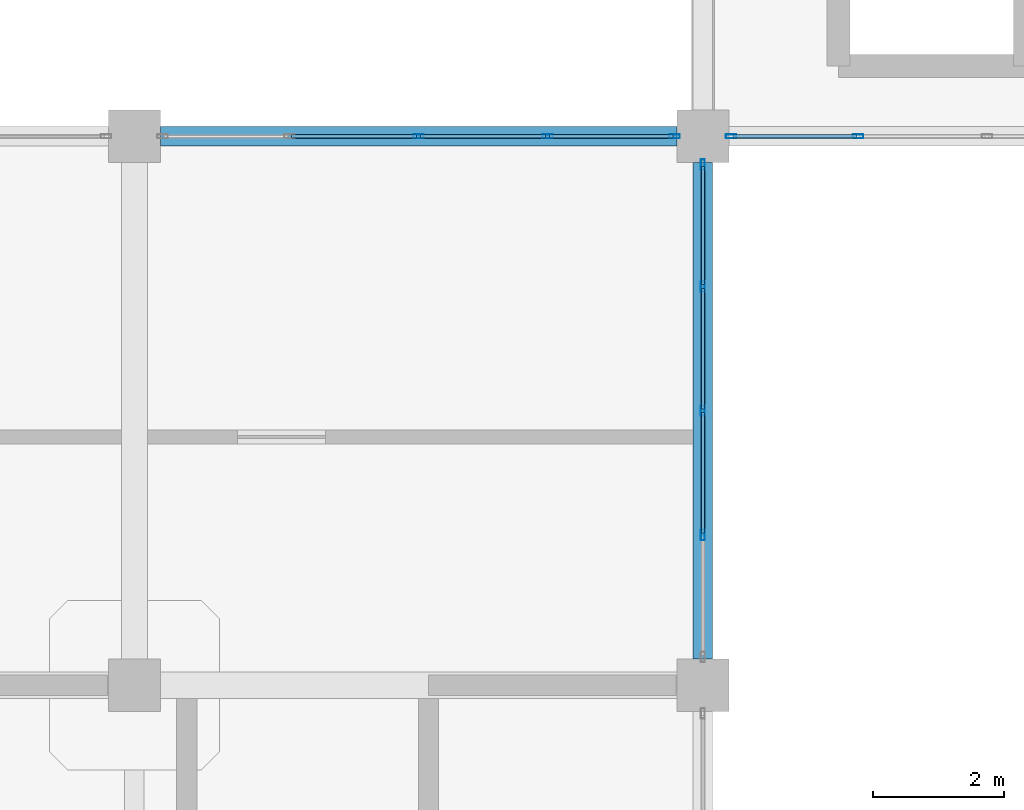
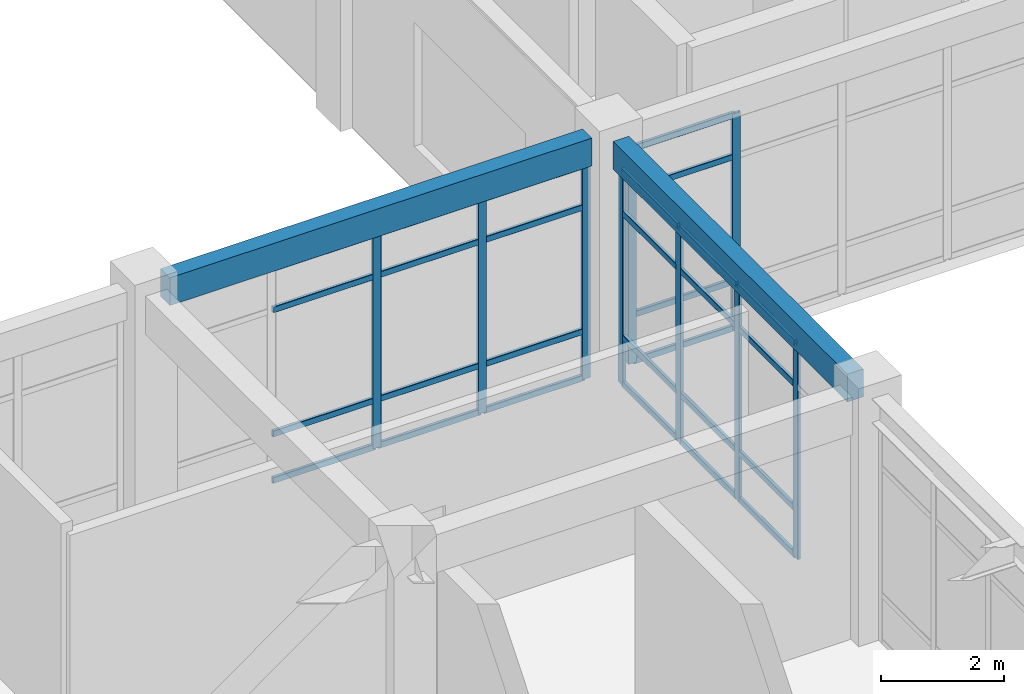
# One storey, part 51 of 96: 37 members, 2 beams, 3 elements without a shape of their own.
"""IFC4 building model written with IfcOpenShell, lengths in metres."""

import ifcopenshell
import ifcopenshell.guid

model = None  # the IFC model being written
_history = None  # IfcOwnerHistory: only IFC2X3 demands one
_inside = {}  # id of a spatial element -> (the spatial element, [elements in it])
_under = {}  # id of a project, library or spatial element -> (it, [spatial elements below it])
_declared = {}  # id of a project -> (the project, [libraries it declares])
_typed = {}  # id of a type object -> (the type object, [elements of that type])
_made_of = {}  # id of a material, layer set ... -> (it, [elements and type objects made of it])


def new_model(schema):
    """Start an empty IFC model of exactly this schema.

    Asked for "IFC4X3", IfcOpenShell would pick the latest addendum, in which some entities
    have other attributes; the version numbers below select the first issue.
    IFC2X3 requires an IfcOwnerHistory on every rooted entity: one is made here for all.
    """
    global model, _history
    if schema == "IFC4X3":
        model = ifcopenshell.file(schema_version=(4, 3, 0, 0))
    else:
        model = ifcopenshell.file(schema=schema)
    _inside.clear()
    _under.clear()
    _declared.clear()
    _typed.clear()
    _made_of.clear()
    _history = None
    if model.schema == "IFC2X3":
        org = make("IfcOrganization", Name="unknown")
        user = make(
            "IfcPersonAndOrganization",
            ThePerson=make("IfcPerson", FamilyName="unknown"),
            TheOrganization=org,
        )
        app = make(
            "IfcApplication",
            ApplicationDeveloper=org,
            Version="unknown",
            ApplicationFullName="unknown",
            ApplicationIdentifier="unknown",
        )
        _history = make(
            "IfcOwnerHistory",
            OwningUser=user,
            OwningApplication=app,
            ChangeAction="ADDED",
            CreationDate=0,
        )
    return model


def make(cls, **values):
    """One entity of the class cls with the attributes given. An attribute that is None is left unset."""
    return model.create_entity(
        cls, **{name: value for name, value in values.items() if value is not None}
    )


def rooted(cls, **values):
    """An entity with a GlobalId (a new one), such as an element, a storey or a relation."""
    return make(cls, GlobalId=ifcopenshell.guid.new(), OwnerHistory=_history, **values)


def si_unit(unit_type, name, prefix=None):
    """IfcSIUnit, for example si_unit("LENGTHUNIT", "METRE", prefix="MILLI")."""
    return make("IfcSIUnit", UnitType=unit_type, Prefix=prefix, Name=name)


def derived_unit(unit_type, elements):
    """IfcDerivedUnit: a product of units, each with its exponent."""
    return make(
        "IfcDerivedUnit",
        Elements=[
            make("IfcDerivedUnitElement", Unit=unit, Exponent=power)
            for unit, power in elements
        ],
        UnitType=unit_type,
    )


def assignment(units):
    """IfcUnitAssignment: the units of a project."""
    return None if units is None else make("IfcUnitAssignment", Units=units)


def point(xyz):
    """IfcCartesianPoint."""
    return None if xyz is None else make("IfcCartesianPoint", Coordinates=xyz)


def direction(xyz):
    """IfcDirection."""
    return None if xyz is None else make("IfcDirection", DirectionRatios=xyz)


def frame(location, z_axis=None, x_axis=None):
    """IfcAxis2Placement3D, a coordinate frame: its origin and axes. An axis left out is left unset."""
    return make(
        "IfcAxis2Placement3D",
        Location=point(location),
        Axis=direction(z_axis),
        RefDirection=direction(x_axis),
    )


def frame_2d(location, x_axis=None):
    """IfcAxis2Placement2D, a coordinate frame in the plane: its origin and x axis."""
    return make(
        "IfcAxis2Placement2D", Location=point(location), RefDirection=direction(x_axis)
    )


def origin():
    """The frame at (0, 0, 0) with its axes left unset."""
    return frame((0.0, 0.0, 0.0))


def origin_2d():
    """The frame at (0, 0) in the plane with its x axis left unset."""
    return frame_2d((0.0, 0.0))


def place(relative_to, where):
    """IfcLocalPlacement: puts the frame where relative to a parent placement (None: the world)."""
    return make(
        "IfcLocalPlacement", PlacementRelTo=relative_to, RelativePlacement=where
    )


def context(
    kind, dimensions, precision=None, world=None, true_north=None, identifier=None
):
    """IfcGeometricRepresentationContext, for example the 3D "Model" context."""
    return make(
        "IfcGeometricRepresentationContext",
        ContextIdentifier=identifier,
        ContextType=kind,
        CoordinateSpaceDimension=dimensions,
        Precision=precision,
        WorldCoordinateSystem=world,
        TrueNorth=true_north,
    )


def subcontext(parent, identifier, kind, view, scale=None):
    """IfcGeometricRepresentationSubContext, for example "Body" below "Model"."""
    return make(
        "IfcGeometricRepresentationSubContext",
        ContextIdentifier=identifier,
        ContextType=kind,
        ParentContext=parent,
        TargetScale=scale,
        TargetView=view,
    )


def project(units=None, contexts=None):
    """IfcProject with its units and contexts."""
    return rooted(
        "IfcProject",
        Name="project",
        RepresentationContexts=contexts,
        UnitsInContext=assignment(units),
    )


def spatial(cls, under=None, at=None, **own):
    """A site, building, storey or space (cls), placed at a placement, below another one or the project."""
    s = rooted(cls, ObjectPlacement=at, **own)
    if under is not None:
        _under.setdefault(under.id(), (under, []))[1].append(s)
    return s


def profile(cls, at=None, kind="AREA", **sizes):
    """A parametric profile (cls). Its sizes go by their IFC names, for example OverallWidth=200.0."""
    return make(cls, ProfileType=kind, Position=at, **sizes)


def rectangle(**sizes):
    """IfcRectangleProfileDef."""
    return profile("IfcRectangleProfileDef", **sizes)


def hollow_rectangle(**sizes):
    """IfcRectangleHollowProfileDef."""
    return profile("IfcRectangleHollowProfileDef", **sizes)


def extrude(swept, where, along, depth):
    """IfcExtrudedAreaSolid: the profile swept, set in the frame where, extruded along a direction by depth."""
    return make(
        "IfcExtrudedAreaSolid",
        SweptArea=swept,
        Position=where,
        ExtrudedDirection=direction(along),
        Depth=depth,
    )


def shape(context_of_items, identifier, shape_type, items):
    """IfcShapeRepresentation: the items that make up one representation, for example the "Body"."""
    return make(
        "IfcShapeRepresentation",
        ContextOfItems=context_of_items,
        RepresentationIdentifier=identifier,
        RepresentationType=shape_type,
        Items=items,
    )


def material(Name=None, Category=None):
    """IfcMaterial."""
    return make("IfcMaterial", Name=Name, Category=Category)


def layer(
    of_material, thickness, ventilated=None, Name=None, Category=None, Priority=None
):
    """IfcMaterialLayer: one layer of a wall or slab, of a material (None: an air gap)."""
    return make(
        "IfcMaterialLayer",
        Material=of_material,
        LayerThickness=thickness,
        IsVentilated=ventilated,
        Name=Name,
        Category=Category,
        Priority=Priority,
    )


def layer_set(layers, Name=None):
    """IfcMaterialLayerSet."""
    return make("IfcMaterialLayerSet", MaterialLayers=layers, LayerSetName=Name)


def material_profile(
    of_material, cross_section, Name=None, Category=None, Priority=None
):
    """IfcMaterialProfile: a cross section and its material."""
    return make(
        "IfcMaterialProfile",
        Name=Name,
        Material=of_material,
        Profile=cross_section,
        Priority=Priority,
        Category=Category,
    )


def profile_set(profiles, Name=None, composite=None):
    """IfcMaterialProfileSet."""
    return make(
        "IfcMaterialProfileSet",
        Name=Name,
        MaterialProfiles=profiles,
        CompositeProfile=composite,
    )


def made_of(thing, what):
    """Note that an element or type object is made of a material, layer set ...; save() writes the relation."""
    if what is not None:
        _made_of.setdefault(what.id(), (what, []))[1].append(thing)
    return thing


def type_object(cls, material=None, **own):
    """A type object (cls), such as IfcWallType, which elements share."""
    return made_of(rooted(cls, **own), material)


def element(
    cls,
    number,
    at=None,
    inside=None,
    cuts=None,
    type_object=None,
    material=None,
    context=None,
    identifier="Body",
    shape_type=None,
    held_by="IfcProductDefinitionShape",
    body=None,
    shapes=None,
    **own,
):
    """One element of the class cls, such as IfcWall. Its Tag is "e" and its number.

    at: its placement. inside: the storey or other place that contains it. cuts: it is an
    opening in that element (IfcRelVoidsElement). A single representation is given by context,
    identifier, shape_type and body (its items); several are given by shapes. held_by: the class
    of the entity that holds the representations. save() writes the other relations.
    """
    e = rooted(cls, Tag="e%d" % number, ObjectPlacement=at, **own)
    if body is not None:
        shapes = [shape(context, identifier, shape_type, body)]
    if shapes is not None:
        e.Representation = make(held_by, Representations=shapes)
    if inside is not None:
        _inside.setdefault(inside.id(), (inside, []))[1].append(e)
    if cuts is not None:
        rooted(
            "IfcRelVoidsElement", RelatingBuildingElement=cuts, RelatedOpeningElement=e
        )
    if type_object is not None:
        _typed.setdefault(type_object.id(), (type_object, []))[1].append(e)
    return made_of(e, material)


def aggregate(whole, parts):
    """IfcRelAggregates: a whole, such as a stair, and the parts it consists of."""
    return rooted("IfcRelAggregates", RelatingObject=whole, RelatedObjects=parts)


def save(model, path):
    """Write the relations noted so far, then the file.

    IfcRelAggregates (storeys below a building ...), IfcRelContainedInSpatialStructure (elements
    in a storey), IfcRelDefinesByType, IfcRelAssociatesMaterial and IfcRelDeclares: one each for
    every whole, place, type object, material and project.
    """
    for whole, parts in _under.values():
        aggregate(whole, parts)
    for where, things in _inside.values():
        rooted(
            "IfcRelContainedInSpatialStructure",
            RelatedElements=things,
            RelatingStructure=where,
        )
    for kind, things in _typed.values():
        rooted("IfcRelDefinesByType", RelatedObjects=things, RelatingType=kind)
    for what, things in _made_of.values():
        rooted("IfcRelAssociatesMaterial", RelatedObjects=things, RelatingMaterial=what)
    for by, libraries in _declared.values():
        rooted("IfcRelDeclares", RelatingContext=by, RelatedDefinitions=libraries)
    model.write(path)


model = new_model("IFC4")

# Units and contexts
model_context = context("Model", 3, precision=1e-05, world=origin(), true_north=direction((0.0, 1.0)))
body_context = subcontext(model_context, "Body", "Model", "MODEL_VIEW")
ifc_project = project(units=[si_unit("LENGTHUNIT", "METRE"), si_unit("AREAUNIT", "SQUARE_METRE"), si_unit("VOLUMEUNIT", "CUBIC_METRE"), si_unit("PLANEANGLEUNIT", "RADIAN"), si_unit("MASSUNIT", "GRAM", prefix="KILO"), derived_unit("THERMALTRANSMITTANCEUNIT", [(si_unit("MASSUNIT", "GRAM", prefix="KILO"), 1), (si_unit("TIMEUNIT", "SECOND"), -3), (si_unit("THERMODYNAMICTEMPERATUREUNIT", "KELVIN"), -1)])], contexts=[model_context])

# Site, building, storey
site_placement = place(None, origin())
site = spatial("IfcSite", under=ifc_project, at=site_placement, CompositionType="ELEMENT")
building_placement = place(site_placement, origin())
building = spatial("IfcBuilding", under=site, at=building_placement, Name="Qinzheling Arcade Emporium", CompositionType="ELEMENT")
storey_placement = place(building_placement, frame((0.0, 0.0, 21.60009765625)))
storey = spatial("IfcBuildingStorey", under=building, at=storey_placement, Name="L05", CompositionType="ELEMENT", Elevation=21.60009765625)

# Curtain wall, members
ifc_material_1 = material(Name="Anodised aluminium and solar-control double glazing", Category="aluminium")
ifc_layer_1 = layer(ifc_material_1, 0.159912109375, Name="Anodised aluminium and solar-control double glazing", Category="aluminium")
ifc_layer_set_1 = layer_set([ifc_layer_1], Name="Anodised aluminium and solar-control double glazing")
curtain_wall_type_1 = type_object("IfcCurtainWallType", Name="Atrium Clerestory Curtain Wall", PredefinedType="NOTDEFINED", material=ifc_layer_set_1)
curtain_wall_1_placement = place(storey_placement, origin())
curtain_wall_1 = element("IfcCurtainWall", 1, at=curtain_wall_1_placement, inside=storey, type_object=curtain_wall_type_1, Name="Curtain Wall CW-L05-325", PredefinedType="NOTDEFINED")
ifc_material_2 = material(Name="Anodised aluminium 6063-T6", Category="aluminium")
ifc_material_profile_1 = material_profile(ifc_material_2, hollow_rectangle(XDim=0.06005859375, YDim=0.159912109375, WallThickness=0.00390625, InnerFilletRadius=0.00390625, OuterFilletRadius=0.008056640625, at=origin_2d()), Name="RHS 160x60x4", Category="aluminium")
ifc_profile_set_1 = profile_set([ifc_material_profile_1], Name="Anodised aluminium 6063-T6")
member_type_1 = type_object("IfcMemberType", Name="Curtain Wall Mullion RHS160x60", PredefinedType="MULLION", material=ifc_profile_set_1)
member_1_placement = place(storey_placement, frame((100.050048828125, 73.800048828125, 0.0), z_axis=(0.0, 0.0, 1.0), x_axis=(0.0, 1.0, 0.0)))
member_1 = element("IfcMember", 2, at=member_1_placement, type_object=member_type_1, Name="CW03 mullion 3", PredefinedType="MULLION", context=body_context, shape_type="SweptSolid", body=[
    extrude(hollow_rectangle(XDim=0.06005859375, YDim=0.159912109375, WallThickness=0.00390625, InnerFilletRadius=0.00390625, OuterFilletRadius=0.008056640625, at=origin_2d()), origin(), (0.0, 0.0, 1.0), 4.2548828125),
])
member_2_placement = place(storey_placement, frame((102.02392578125, 73.800048828125, 0.0), z_axis=(0.0, 0.0, 1.0), x_axis=(0.0, 1.0, 0.0)))
member_2 = element("IfcMember", 3, at=member_2_placement, type_object=member_type_1, Name="CW03 mullion 4", PredefinedType="MULLION", context=body_context, shape_type="SweptSolid", body=[
    extrude(hollow_rectangle(XDim=0.06005859375, YDim=0.159912109375, WallThickness=0.00390625, InnerFilletRadius=0.00390625, OuterFilletRadius=0.008056640625, at=origin_2d()), origin(), (0.0, 0.0, 1.0), 4.2548828125),
])
member_3_placement = place(storey_placement, frame((103.968017578125, 73.800048828125, 0.0), z_axis=(0.0, 0.0, 1.0), x_axis=(0.0, 1.0, 0.0)))
member_3 = element("IfcMember", 4, at=member_3_placement, type_object=member_type_1, Name="CW03 mullion 5", PredefinedType="MULLION", context=body_context, shape_type="SweptSolid", body=[
    extrude(hollow_rectangle(XDim=0.06005859375, YDim=0.159912109375, WallThickness=0.00390625, InnerFilletRadius=0.00390625, OuterFilletRadius=0.008056640625, at=origin_2d()), origin(), (0.0, 0.0, 1.0), 4.2548828125),
])

curtain_wall_2_placement = place(storey_placement, origin())
curtain_wall_2 = element("IfcCurtainWall", 5, at=curtain_wall_2_placement, inside=storey, type_object=curtain_wall_type_1, Name="Curtain Wall CW-L05-326", PredefinedType="NOTDEFINED")
member_4_placement = place(storey_placement, frame((104.39990234375, 73.367919921875, 0.0), z_axis=(0.0, 0.0, 1.0), x_axis=(1.0, 0.0, 0.0)))
member_4 = element("IfcMember", 6, at=member_4_placement, type_object=member_type_1, Name="CW03 mullion 1", PredefinedType="MULLION", context=body_context, shape_type="SweptSolid", body=[
    extrude(hollow_rectangle(XDim=0.06005859375, YDim=0.159912109375, WallThickness=0.00390625, InnerFilletRadius=0.00390625, OuterFilletRadius=0.008056640625, at=origin_2d()), origin(), (0.0, 0.0, 1.0), 4.2548828125),
])
member_5_placement = place(storey_placement, frame((104.39990234375, 71.4990234375, 0.0), z_axis=(0.0, 0.0, 1.0), x_axis=(1.0, 0.0, 0.0)))
member_5 = element("IfcMember", 7, at=member_5_placement, type_object=member_type_1, Name="CW03 mullion 2", PredefinedType="MULLION", context=body_context, shape_type="SweptSolid", body=[
    extrude(hollow_rectangle(XDim=0.06005859375, YDim=0.159912109375, WallThickness=0.00390625, InnerFilletRadius=0.00390625, OuterFilletRadius=0.008056640625, at=origin_2d()), origin(), (0.0, 0.0, 1.0), 4.2548828125),
])
member_6_placement = place(storey_placement, frame((104.39990234375, 69.60009765625, 0.0), z_axis=(0.0, 0.0, 1.0), x_axis=(1.0, 0.0, 0.0)))
member_6 = element("IfcMember", 8, at=member_6_placement, type_object=member_type_1, Name="CW03 mullion 3", PredefinedType="MULLION", context=body_context, shape_type="SweptSolid", body=[
    extrude(hollow_rectangle(XDim=0.06005859375, YDim=0.159912109375, WallThickness=0.00390625, InnerFilletRadius=0.00390625, OuterFilletRadius=0.008056640625, at=origin_2d()), origin(), (0.0, 0.0, 1.0), 4.2548828125),
])
member_7_placement = place(storey_placement, frame((104.39990234375, 67.700927734375, 0.0), z_axis=(0.0, 0.0, 1.0), x_axis=(1.0, 0.0, 0.0)))
member_7 = element("IfcMember", 9, at=member_7_placement, type_object=member_type_1, Name="CW03 mullion 4", PredefinedType="MULLION", context=body_context, shape_type="SweptSolid", body=[
    extrude(hollow_rectangle(XDim=0.06005859375, YDim=0.159912109375, WallThickness=0.00390625, InnerFilletRadius=0.00390625, OuterFilletRadius=0.008056640625, at=origin_2d()), origin(), (0.0, 0.0, 1.0), 4.2548828125),
])

ifc_layer_2 = layer(ifc_material_1, 0.159912109375, Name="Anodised aluminium and solar-control double glazing", Category="aluminium")
ifc_layer_set_2 = layer_set([ifc_layer_2], Name="Anodised aluminium and solar-control double glazing")
curtain_wall_type_2 = type_object("IfcCurtainWallType", Name="Arcade Portal Glazed Curtain Wall", PredefinedType="NOTDEFINED", material=ifc_layer_set_2)
curtain_wall_3_placement = place(storey_placement, origin())
curtain_wall_3 = element("IfcCurtainWall", 10, at=curtain_wall_3_placement, inside=storey, type_object=curtain_wall_type_2, Name="Curtain Wall CW-L05-345", PredefinedType="NOTDEFINED")
member_8_placement = place(storey_placement, frame((106.77587890625, 73.800048828125, 0.0), z_axis=(0.0, 0.0, 1.0), x_axis=(0.0, -1.0, 0.0)))
member_8 = element("IfcMember", 11, at=member_8_placement, type_object=member_type_1, Name="CW05 mullion 4", PredefinedType="MULLION", context=body_context, shape_type="SweptSolid", body=[
    extrude(hollow_rectangle(XDim=0.06005859375, YDim=0.159912109375, WallThickness=0.00390625, InnerFilletRadius=0.00390625, OuterFilletRadius=0.008056640625, at=origin_2d()), origin(), (0.0, 0.0, 1.0), 4.27001953125),
])
member_9_placement = place(storey_placement, frame((104.83203125, 73.800048828125, 0.0), z_axis=(0.0, 0.0, 1.0), x_axis=(0.0, -1.0, 0.0)))
member_9 = element("IfcMember", 12, at=member_9_placement, type_object=member_type_1, Name="CW05 mullion 5", PredefinedType="MULLION", context=body_context, shape_type="SweptSolid", body=[
    extrude(hollow_rectangle(XDim=0.06005859375, YDim=0.159912109375, WallThickness=0.00390625, InnerFilletRadius=0.00390625, OuterFilletRadius=0.008056640625, at=origin_2d()), origin(), (0.0, 0.0, 1.0), 4.27001953125),
])

# Member
ifc_material_profile_2 = material_profile(ifc_material_2, hollow_rectangle(XDim=0.06005859375, YDim=0.1201171875, WallThickness=0.00390625, InnerFilletRadius=0.00390625, OuterFilletRadius=0.008056640625, at=origin_2d()), Name="RHS 120x60x4", Category="aluminium")
ifc_profile_set_2 = profile_set([ifc_material_profile_2], Name="Anodised aluminium 6063-T6")
member_type_2 = type_object("IfcMemberType", Name="Curtain Wall Transom RHS120x60", PredefinedType="USERDEFINED", material=ifc_profile_set_2)
member_10_placement = place(storey_placement, frame((98.10595703125, 73.800048828125, 0.02978515625), z_axis=(1.0, 0.0, 0.0), x_axis=(0.0, 1.0, 0.0)))
member_10 = element("IfcMember", 13, at=member_10_placement, type_object=member_type_2, Name="CW03 transom 2.1", ObjectType="TRANSOM", PredefinedType="USERDEFINED", context=body_context, shape_type="SweptSolid", body=[
    extrude(hollow_rectangle(XDim=0.06005859375, YDim=0.1201171875, WallThickness=0.00390625, InnerFilletRadius=0.00390625, OuterFilletRadius=0.008056640625, at=origin_2d()), origin(), (0.0, 0.0, 1.0), 1.9140625),
])

member_11_placement = place(storey_placement, frame((98.10595703125, 73.800048828125, 0.949951171875), z_axis=(1.0, 0.0, 0.0), x_axis=(0.0, 1.0, 0.0)))
member_11 = element("IfcMember", 14, at=member_11_placement, type_object=member_type_2, Name="CW03 transom 2.2", ObjectType="TRANSOM", PredefinedType="USERDEFINED", context=body_context, shape_type="SweptSolid", body=[
    extrude(hollow_rectangle(XDim=0.06005859375, YDim=0.1201171875, WallThickness=0.00390625, InnerFilletRadius=0.00390625, OuterFilletRadius=0.008056640625, at=origin_2d()), origin(), (0.0, 0.0, 1.0), 1.9140625),
])

member_12_placement = place(storey_placement, frame((98.10595703125, 73.800048828125, 3.40478515625), z_axis=(1.0, 0.0, 0.0), x_axis=(0.0, 1.0, 0.0)))
member_12 = element("IfcMember", 15, at=member_12_placement, type_object=member_type_2, Name="CW03 transom 2.3", ObjectType="TRANSOM", PredefinedType="USERDEFINED", context=body_context, shape_type="SweptSolid", body=[
    extrude(hollow_rectangle(XDim=0.06005859375, YDim=0.1201171875, WallThickness=0.00390625, InnerFilletRadius=0.00390625, OuterFilletRadius=0.008056640625, at=origin_2d()), origin(), (0.0, 0.0, 1.0), 1.9140625),
])

member_13_placement = place(storey_placement, frame((98.10595703125, 73.800048828125, 4.224853515625), z_axis=(1.0, 0.0, 0.0), x_axis=(0.0, 1.0, 0.0)))
member_13 = element("IfcMember", 16, at=member_13_placement, type_object=member_type_2, Name="CW03 transom 2.4", ObjectType="TRANSOM", PredefinedType="USERDEFINED", context=body_context, shape_type="SweptSolid", body=[
    extrude(hollow_rectangle(XDim=0.06005859375, YDim=0.1201171875, WallThickness=0.00390625, InnerFilletRadius=0.00390625, OuterFilletRadius=0.008056640625, at=origin_2d()), origin(), (0.0, 0.0, 1.0), 1.9140625),
])

member_14_placement = place(storey_placement, frame((100.080078125, 73.800048828125, 0.02978515625), z_axis=(1.0, 0.0, 0.0), x_axis=(0.0, 1.0, 0.0)))
member_14 = element("IfcMember", 17, at=member_14_placement, type_object=member_type_2, Name="CW03 transom 3.1", ObjectType="TRANSOM", PredefinedType="USERDEFINED", context=body_context, shape_type="SweptSolid", body=[
    extrude(hollow_rectangle(XDim=0.06005859375, YDim=0.1201171875, WallThickness=0.00390625, InnerFilletRadius=0.00390625, OuterFilletRadius=0.008056640625, at=origin_2d()), origin(), (0.0, 0.0, 1.0), 1.913818359375),
])

member_15_placement = place(storey_placement, frame((100.080078125, 73.800048828125, 0.949951171875), z_axis=(1.0, 0.0, 0.0), x_axis=(0.0, 1.0, 0.0)))
member_15 = element("IfcMember", 18, at=member_15_placement, type_object=member_type_2, Name="CW03 transom 3.2", ObjectType="TRANSOM", PredefinedType="USERDEFINED", context=body_context, shape_type="SweptSolid", body=[
    extrude(hollow_rectangle(XDim=0.06005859375, YDim=0.1201171875, WallThickness=0.00390625, InnerFilletRadius=0.00390625, OuterFilletRadius=0.008056640625, at=origin_2d()), origin(), (0.0, 0.0, 1.0), 1.913818359375),
])

member_16_placement = place(storey_placement, frame((100.080078125, 73.800048828125, 3.40478515625), z_axis=(1.0, 0.0, 0.0), x_axis=(0.0, 1.0, 0.0)))
member_16 = element("IfcMember", 19, at=member_16_placement, type_object=member_type_2, Name="CW03 transom 3.3", ObjectType="TRANSOM", PredefinedType="USERDEFINED", context=body_context, shape_type="SweptSolid", body=[
    extrude(hollow_rectangle(XDim=0.06005859375, YDim=0.1201171875, WallThickness=0.00390625, InnerFilletRadius=0.00390625, OuterFilletRadius=0.008056640625, at=origin_2d()), origin(), (0.0, 0.0, 1.0), 1.913818359375),
])

member_17_placement = place(storey_placement, frame((100.080078125, 73.800048828125, 4.224853515625), z_axis=(1.0, 0.0, 0.0), x_axis=(0.0, 1.0, 0.0)))
member_17 = element("IfcMember", 20, at=member_17_placement, type_object=member_type_2, Name="CW03 transom 3.4", ObjectType="TRANSOM", PredefinedType="USERDEFINED", context=body_context, shape_type="SweptSolid", body=[
    extrude(hollow_rectangle(XDim=0.06005859375, YDim=0.1201171875, WallThickness=0.00390625, InnerFilletRadius=0.00390625, OuterFilletRadius=0.008056640625, at=origin_2d()), origin(), (0.0, 0.0, 1.0), 1.913818359375),
])

member_18_placement = place(storey_placement, frame((102.053955078125, 73.800048828125, 0.02978515625), z_axis=(1.0, 0.0, 0.0), x_axis=(0.0, 1.0, 0.0)))
member_18 = element("IfcMember", 21, at=member_18_placement, type_object=member_type_2, Name="CW03 transom 4.1", ObjectType="TRANSOM", PredefinedType="USERDEFINED", context=body_context, shape_type="SweptSolid", body=[
    extrude(hollow_rectangle(XDim=0.06005859375, YDim=0.1201171875, WallThickness=0.00390625, InnerFilletRadius=0.00390625, OuterFilletRadius=0.008056640625, at=origin_2d()), origin(), (0.0, 0.0, 1.0), 1.884033203125),
])

member_19_placement = place(storey_placement, frame((102.053955078125, 73.800048828125, 0.949951171875), z_axis=(1.0, 0.0, 0.0), x_axis=(0.0, 1.0, 0.0)))
member_19 = element("IfcMember", 22, at=member_19_placement, type_object=member_type_2, Name="CW03 transom 4.2", ObjectType="TRANSOM", PredefinedType="USERDEFINED", context=body_context, shape_type="SweptSolid", body=[
    extrude(hollow_rectangle(XDim=0.06005859375, YDim=0.1201171875, WallThickness=0.00390625, InnerFilletRadius=0.00390625, OuterFilletRadius=0.008056640625, at=origin_2d()), origin(), (0.0, 0.0, 1.0), 1.884033203125),
])

member_20_placement = place(storey_placement, frame((102.053955078125, 73.800048828125, 3.40478515625), z_axis=(1.0, 0.0, 0.0), x_axis=(0.0, 1.0, 0.0)))
member_20 = element("IfcMember", 23, at=member_20_placement, type_object=member_type_2, Name="CW03 transom 4.3", ObjectType="TRANSOM", PredefinedType="USERDEFINED", context=body_context, shape_type="SweptSolid", body=[
    extrude(hollow_rectangle(XDim=0.06005859375, YDim=0.1201171875, WallThickness=0.00390625, InnerFilletRadius=0.00390625, OuterFilletRadius=0.008056640625, at=origin_2d()), origin(), (0.0, 0.0, 1.0), 1.884033203125),
])

member_21_placement = place(storey_placement, frame((102.053955078125, 73.800048828125, 4.224853515625), z_axis=(1.0, 0.0, 0.0), x_axis=(0.0, 1.0, 0.0)))
member_21 = element("IfcMember", 24, at=member_21_placement, type_object=member_type_2, Name="CW03 transom 4.4", ObjectType="TRANSOM", PredefinedType="USERDEFINED", context=body_context, shape_type="SweptSolid", body=[
    extrude(hollow_rectangle(XDim=0.06005859375, YDim=0.1201171875, WallThickness=0.00390625, InnerFilletRadius=0.00390625, OuterFilletRadius=0.008056640625, at=origin_2d()), origin(), (0.0, 0.0, 1.0), 1.884033203125),
])

aggregate(curtain_wall_1, [member_1, member_2, member_3, member_10, member_11, member_12, member_13, member_14, member_15, member_16, member_17, member_18, member_19, member_20, member_21])

member_22_placement = place(storey_placement, frame((104.39990234375, 73.337890625, 0.02978515625), z_axis=(0.0, -1.0, 0.0), x_axis=(1.0, 0.0, 0.0)))
member_22 = element("IfcMember", 25, at=member_22_placement, type_object=member_type_2, Name="CW03 transom 1.1", ObjectType="TRANSOM", PredefinedType="USERDEFINED", context=body_context, shape_type="SweptSolid", body=[
    extrude(hollow_rectangle(XDim=0.06005859375, YDim=0.1201171875, WallThickness=0.00390625, InnerFilletRadius=0.00390625, OuterFilletRadius=0.008056640625, at=origin_2d()), origin(), (0.0, 0.0, 1.0), 1.808837890625),
])

member_23_placement = place(storey_placement, frame((104.39990234375, 73.337890625, 0.949951171875), z_axis=(0.0, -1.0, 0.0), x_axis=(1.0, 0.0, 0.0)))
member_23 = element("IfcMember", 26, at=member_23_placement, type_object=member_type_2, Name="CW03 transom 1.2", ObjectType="TRANSOM", PredefinedType="USERDEFINED", context=body_context, shape_type="SweptSolid", body=[
    extrude(hollow_rectangle(XDim=0.06005859375, YDim=0.1201171875, WallThickness=0.00390625, InnerFilletRadius=0.00390625, OuterFilletRadius=0.008056640625, at=origin_2d()), origin(), (0.0, 0.0, 1.0), 1.808837890625),
])

member_24_placement = place(storey_placement, frame((104.39990234375, 73.337890625, 3.40478515625), z_axis=(0.0, -1.0, 0.0), x_axis=(1.0, 0.0, 0.0)))
member_24 = element("IfcMember", 27, at=member_24_placement, type_object=member_type_2, Name="CW03 transom 1.3", ObjectType="TRANSOM", PredefinedType="USERDEFINED", context=body_context, shape_type="SweptSolid", body=[
    extrude(hollow_rectangle(XDim=0.06005859375, YDim=0.1201171875, WallThickness=0.00390625, InnerFilletRadius=0.00390625, OuterFilletRadius=0.008056640625, at=origin_2d()), origin(), (0.0, 0.0, 1.0), 1.808837890625),
])

member_25_placement = place(storey_placement, frame((104.39990234375, 73.337890625, 4.224853515625), z_axis=(0.0, -1.0, 0.0), x_axis=(1.0, 0.0, 0.0)))
member_25 = element("IfcMember", 28, at=member_25_placement, type_object=member_type_2, Name="CW03 transom 1.4", ObjectType="TRANSOM", PredefinedType="USERDEFINED", context=body_context, shape_type="SweptSolid", body=[
    extrude(hollow_rectangle(XDim=0.06005859375, YDim=0.1201171875, WallThickness=0.00390625, InnerFilletRadius=0.00390625, OuterFilletRadius=0.008056640625, at=origin_2d()), origin(), (0.0, 0.0, 1.0), 1.808837890625),
])

member_26_placement = place(storey_placement, frame((104.39990234375, 71.468994140625, 0.02978515625), z_axis=(0.0, -1.0, 0.0), x_axis=(1.0, 0.0, 0.0)))
member_26 = element("IfcMember", 29, at=member_26_placement, type_object=member_type_2, Name="CW03 transom 2.1", ObjectType="TRANSOM", PredefinedType="USERDEFINED", context=body_context, shape_type="SweptSolid", body=[
    extrude(hollow_rectangle(XDim=0.06005859375, YDim=0.1201171875, WallThickness=0.00390625, InnerFilletRadius=0.00390625, OuterFilletRadius=0.008056640625, at=origin_2d()), origin(), (0.0, 0.0, 1.0), 1.839111328125),
])

member_27_placement = place(storey_placement, frame((104.39990234375, 71.468994140625, 0.949951171875), z_axis=(0.0, -1.0, 0.0), x_axis=(1.0, 0.0, 0.0)))
member_27 = element("IfcMember", 30, at=member_27_placement, type_object=member_type_2, Name="CW03 transom 2.2", ObjectType="TRANSOM", PredefinedType="USERDEFINED", context=body_context, shape_type="SweptSolid", body=[
    extrude(hollow_rectangle(XDim=0.06005859375, YDim=0.1201171875, WallThickness=0.00390625, InnerFilletRadius=0.00390625, OuterFilletRadius=0.008056640625, at=origin_2d()), origin(), (0.0, 0.0, 1.0), 1.839111328125),
])

member_28_placement = place(storey_placement, frame((104.39990234375, 71.468994140625, 3.40478515625), z_axis=(0.0, -1.0, 0.0), x_axis=(1.0, 0.0, 0.0)))
member_28 = element("IfcMember", 31, at=member_28_placement, type_object=member_type_2, Name="CW03 transom 2.3", ObjectType="TRANSOM", PredefinedType="USERDEFINED", context=body_context, shape_type="SweptSolid", body=[
    extrude(hollow_rectangle(XDim=0.06005859375, YDim=0.1201171875, WallThickness=0.00390625, InnerFilletRadius=0.00390625, OuterFilletRadius=0.008056640625, at=origin_2d()), origin(), (0.0, 0.0, 1.0), 1.839111328125),
])

member_29_placement = place(storey_placement, frame((104.39990234375, 71.468994140625, 4.224853515625), z_axis=(0.0, -1.0, 0.0), x_axis=(1.0, 0.0, 0.0)))
member_29 = element("IfcMember", 32, at=member_29_placement, type_object=member_type_2, Name="CW03 transom 2.4", ObjectType="TRANSOM", PredefinedType="USERDEFINED", context=body_context, shape_type="SweptSolid", body=[
    extrude(hollow_rectangle(XDim=0.06005859375, YDim=0.1201171875, WallThickness=0.00390625, InnerFilletRadius=0.00390625, OuterFilletRadius=0.008056640625, at=origin_2d()), origin(), (0.0, 0.0, 1.0), 1.839111328125),
])

member_30_placement = place(storey_placement, frame((104.39990234375, 69.570068359375, 0.02978515625), z_axis=(0.0, -1.0, 0.0), x_axis=(1.0, 0.0, 0.0)))
member_30 = element("IfcMember", 33, at=member_30_placement, type_object=member_type_2, Name="CW03 transom 3.1", ObjectType="TRANSOM", PredefinedType="USERDEFINED", context=body_context, shape_type="SweptSolid", body=[
    extrude(hollow_rectangle(XDim=0.06005859375, YDim=0.1201171875, WallThickness=0.00390625, InnerFilletRadius=0.00390625, OuterFilletRadius=0.008056640625, at=origin_2d()), origin(), (0.0, 0.0, 1.0), 1.839111328125),
])

member_31_placement = place(storey_placement, frame((104.39990234375, 69.570068359375, 0.949951171875), z_axis=(0.0, -1.0, 0.0), x_axis=(1.0, 0.0, 0.0)))
member_31 = element("IfcMember", 34, at=member_31_placement, type_object=member_type_2, Name="CW03 transom 3.2", ObjectType="TRANSOM", PredefinedType="USERDEFINED", context=body_context, shape_type="SweptSolid", body=[
    extrude(hollow_rectangle(XDim=0.06005859375, YDim=0.1201171875, WallThickness=0.00390625, InnerFilletRadius=0.00390625, OuterFilletRadius=0.008056640625, at=origin_2d()), origin(), (0.0, 0.0, 1.0), 1.839111328125),
])

member_32_placement = place(storey_placement, frame((104.39990234375, 69.570068359375, 3.40478515625), z_axis=(0.0, -1.0, 0.0), x_axis=(1.0, 0.0, 0.0)))
member_32 = element("IfcMember", 35, at=member_32_placement, type_object=member_type_2, Name="CW03 transom 3.3", ObjectType="TRANSOM", PredefinedType="USERDEFINED", context=body_context, shape_type="SweptSolid", body=[
    extrude(hollow_rectangle(XDim=0.06005859375, YDim=0.1201171875, WallThickness=0.00390625, InnerFilletRadius=0.00390625, OuterFilletRadius=0.008056640625, at=origin_2d()), origin(), (0.0, 0.0, 1.0), 1.839111328125),
])

member_33_placement = place(storey_placement, frame((104.39990234375, 69.570068359375, 4.224853515625), z_axis=(0.0, -1.0, 0.0), x_axis=(1.0, 0.0, 0.0)))
member_33 = element("IfcMember", 36, at=member_33_placement, type_object=member_type_2, Name="CW03 transom 3.4", ObjectType="TRANSOM", PredefinedType="USERDEFINED", context=body_context, shape_type="SweptSolid", body=[
    extrude(hollow_rectangle(XDim=0.06005859375, YDim=0.1201171875, WallThickness=0.00390625, InnerFilletRadius=0.00390625, OuterFilletRadius=0.008056640625, at=origin_2d()), origin(), (0.0, 0.0, 1.0), 1.839111328125),
])

aggregate(curtain_wall_2, [member_4, member_5, member_6, member_7, member_22, member_23, member_24, member_25, member_26, member_27, member_28, member_29, member_30, member_31, member_32, member_33])

member_34_placement = place(storey_placement, frame((106.74609375, 73.800048828125, 0.02978515625), z_axis=(-1.0, 0.0, 0.0), x_axis=(0.0, -1.0, 0.0)))
member_34 = element("IfcMember", 37, at=member_34_placement, type_object=member_type_2, Name="CW05 transom 4.1", ObjectType="TRANSOM", PredefinedType="USERDEFINED", context=body_context, shape_type="SweptSolid", body=[
    extrude(hollow_rectangle(XDim=0.06005859375, YDim=0.1201171875, WallThickness=0.00390625, InnerFilletRadius=0.00390625, OuterFilletRadius=0.008056640625, at=origin_2d()), origin(), (0.0, 0.0, 1.0), 1.884033203125),
])

member_35_placement = place(storey_placement, frame((106.74609375, 73.800048828125, 0.949951171875), z_axis=(-1.0, 0.0, 0.0), x_axis=(0.0, -1.0, 0.0)))
member_35 = element("IfcMember", 38, at=member_35_placement, type_object=member_type_2, Name="CW05 transom 4.2", ObjectType="TRANSOM", PredefinedType="USERDEFINED", context=body_context, shape_type="SweptSolid", body=[
    extrude(hollow_rectangle(XDim=0.06005859375, YDim=0.1201171875, WallThickness=0.00390625, InnerFilletRadius=0.00390625, OuterFilletRadius=0.008056640625, at=origin_2d()), origin(), (0.0, 0.0, 1.0), 1.884033203125),
])

member_36_placement = place(storey_placement, frame((106.74609375, 73.800048828125, 3.419921875), z_axis=(-1.0, 0.0, 0.0), x_axis=(0.0, -1.0, 0.0)))
member_36 = element("IfcMember", 39, at=member_36_placement, type_object=member_type_2, Name="CW05 transom 4.3", ObjectType="TRANSOM", PredefinedType="USERDEFINED", context=body_context, shape_type="SweptSolid", body=[
    extrude(hollow_rectangle(XDim=0.06005859375, YDim=0.1201171875, WallThickness=0.00390625, InnerFilletRadius=0.00390625, OuterFilletRadius=0.008056640625, at=origin_2d()), origin(), (0.0, 0.0, 1.0), 1.884033203125),
])

member_37_placement = place(storey_placement, frame((106.74609375, 73.800048828125, 4.239990234375), z_axis=(-1.0, 0.0, 0.0), x_axis=(0.0, -1.0, 0.0)))
member_37 = element("IfcMember", 40, at=member_37_placement, type_object=member_type_2, Name="CW05 transom 4.4", ObjectType="TRANSOM", PredefinedType="USERDEFINED", context=body_context, shape_type="SweptSolid", body=[
    extrude(hollow_rectangle(XDim=0.06005859375, YDim=0.1201171875, WallThickness=0.00390625, InnerFilletRadius=0.00390625, OuterFilletRadius=0.008056640625, at=origin_2d()), origin(), (0.0, 0.0, 1.0), 1.884033203125),
])

aggregate(curtain_wall_3, [member_8, member_9, member_34, member_35, member_36, member_37])

# Beams
ifc_material_3 = material(Name="Concrete C40", Category="concrete")
ifc_material_profile_3 = material_profile(ifc_material_3, rectangle(XDim=0.300048828125, YDim=0.550048828125, at=origin_2d()), Name="RC 300x550", Category="concrete")
ifc_profile_set_3 = profile_set([ifc_material_profile_3], Name="Concrete C40")
beam_type = type_object("IfcBeamType", Name="RC Terrace Spandrel Beam 300x550 C40", PredefinedType="SPANDREL", material=ifc_profile_set_3)
beam_1_placement = place(storey_placement, frame((96.10009765625, 73.800048828125, 4.544921875), z_axis=(1.0, 0.0, 0.0), x_axis=(0.0, 1.0, 0.0)))
element("IfcBeam", 41, at=beam_1_placement, inside=storey, type_object=beam_type, Name="Beam BM-L05-X-J-12", PredefinedType="SPANDREL", context=body_context, shape_type="SweptSolid", body=[
    extrude(rectangle(XDim=0.300048828125, YDim=0.550048828125, at=origin_2d()), origin(), (0.0, 0.0, 1.0), 7.89990234375),
])
beam_2_placement = place(storey_placement, frame((104.39990234375, 65.800048828125, 4.544921875), z_axis=(0.0, 1.0, 0.0), x_axis=(-1.0, 0.0, 0.0)))
element("IfcBeam", 42, at=beam_2_placement, inside=storey, type_object=beam_type, Name="Beam BM-L05-Y-13-H", PredefinedType="SPANDREL", context=body_context, shape_type="SweptSolid", body=[
    extrude(rectangle(XDim=0.300048828125, YDim=0.550048828125, at=origin_2d()), origin(), (0.0, 0.0, 1.0), 7.599853515625),
])

save(model, "model.ifc")
